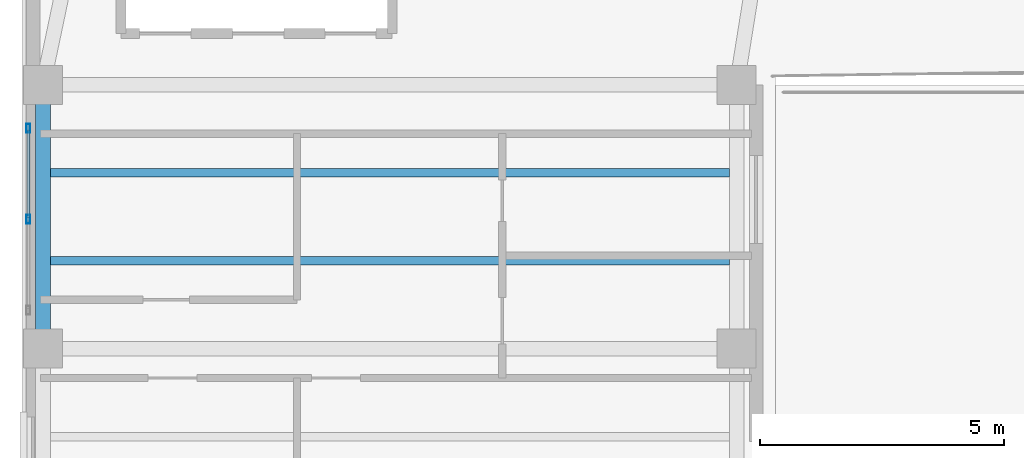
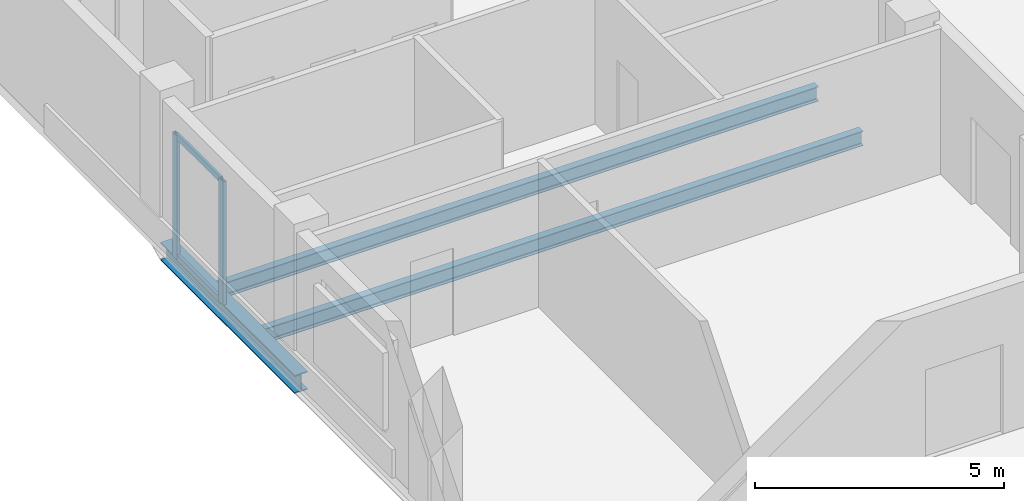
# One storey, part 4 of 7: 4 members, 3 beams, 1 element without a shape of its own.
"""IFC4 building model written with IfcOpenShell, lengths in metres."""

from ifc_helpers import new_model, si_unit, direction, frame, origin, origin_2d, place, context, subcontext, project, spatial, hollow_rectangle, i_section, extrude, material, material_profile, profile_set, type_object, element, aggregate, save


model = new_model("IFC4")

# Units and contexts
model_context = context("Model", 3, precision=1e-05, world=origin(), true_north=direction((0.0, 1.0)))
body_context = subcontext(model_context, "Body", "Model", "MODEL_VIEW")
ifc_project = project(units=[si_unit("LENGTHUNIT", "METRE"), si_unit("AREAUNIT", "SQUARE_METRE"), si_unit("VOLUMEUNIT", "CUBIC_METRE"), si_unit("PLANEANGLEUNIT", "RADIAN"), si_unit("MASSUNIT", "GRAM", prefix="KILO")], contexts=[model_context])

# Site, building, storey
site_placement = place(None, origin())
site = spatial("IfcSite", under=ifc_project, at=site_placement, CompositionType="ELEMENT")
building_placement = place(site_placement, origin())
building = spatial("IfcBuilding", under=site, at=building_placement, Name="Kuzgunbayir Cultural Tower", CompositionType="ELEMENT")
storey_placement = place(building_placement, frame((0.0, 0.0, 250.39990234375)))
storey = spatial("IfcBuildingStorey", under=building, at=storey_placement, Name="L74", CompositionType="ELEMENT", Elevation=250.39990234375)

# Beams
ifc_material_1 = material(Name="Steel S355J2", Category="steel")
ifc_material_profile_1 = material_profile(ifc_material_1, i_section(OverallWidth=0.300048828125, OverallDepth=0.449951171875, WebThickness=0.013916015625, FlangeThickness=0.02587890625, FilletRadius=0.027099609375, at=origin_2d()), Name="HEB 450")
ifc_profile_set_1 = profile_set([ifc_material_profile_1], Name="Steel S355J2")
beam_type_1 = type_object("IfcBeamType", Name="BM-EXT-HEB450", PredefinedType="BEAM", material=ifc_profile_set_1)
beam_placement = place(storey_placement, frame((5.39990234375, 23.39990234375, -0.4599609375), z_axis=(0.0, 1.0, 0.0), x_axis=(-1.0, 0.0, 0.0)))
element("IfcBeam", 1, at=beam_placement, inside=storey, type_object=beam_type_1, Name="L74 Wing A West Girder 2", PredefinedType="BEAM", context=body_context, shape_type="SweptSolid", body=[
    extrude(i_section(OverallWidth=0.300048828125, OverallDepth=0.449951171875, WebThickness=0.013916015625, FlangeThickness=0.02587890625, FilletRadius=0.027099609375, at=origin_2d()), origin(), (0.0, 0.0, 1.0), 5.400146484375),
])
ifc_material_profile_2 = material_profile(ifc_material_1, i_section(OverallWidth=0.169921875, OverallDepth=0.360107421875, WebThickness=0.008056640625, FlangeThickness=0.0126953125, FilletRadius=0.01806640625, at=origin_2d()), Name="IPE 360")
ifc_profile_set_2 = profile_set([ifc_material_profile_2], Name="Steel S355J2")
beam_type_2 = type_object("IfcBeamType", Name="BM-JST-IPE360", PredefinedType="JOIST", material=ifc_profile_set_2)
for number, where, z_axis, x_axis, name in (
    (2, (5.550048828125, 25.199951171875, -0.419921875), (1.0, 0.0, 0.0), (0.0, 1.0, 0.0), "L74 Wing A Secondary Joist 3"),
    (3, (5.550048828125, 27.0, -0.419921875), (1.0, 0.0, 0.0), (0.0, 1.0, 0.0), "L74 Wing A Secondary Joist 4"),
):
    element("IfcBeam", number, at=place(storey_placement, frame(where, z_axis=z_axis, x_axis=x_axis)), inside=storey, type_object=beam_type_2, Name=name, PredefinedType="JOIST", context=body_context, shape_type="SweptSolid", body=[
        extrude(i_section(OverallWidth=0.169921875, OverallDepth=0.360107421875, WebThickness=0.008056640625, FlangeThickness=0.0126953125, FilletRadius=0.01806640625, at=origin_2d()), origin(), (0.0, 0.0, 1.0), 13.89990234375),
    ])

# Curtain wall, members
ifc_material_2 = material(Name="Anodised Aluminium Framing", Category="aluminium")
curtain_wall_type = type_object("IfcCurtainWallType", Name="CW06-OBSERVATORY", PredefinedType="NOTDEFINED", material=ifc_material_2)
curtain_wall_placement = place(storey_placement, origin())
curtain_wall = element("IfcCurtainWall", 4, at=curtain_wall_placement, inside=storey, type_object=curtain_wall_type, Name="L74 Crown Observatory West Curtain Wall", PredefinedType="NOTDEFINED")
ifc_material_profile_3 = material_profile(ifc_material_2, hollow_rectangle(XDim=0.074951171875, YDim=0.179931640625, WallThickness=0.0048828125, at=origin_2d()), Name="RHS 180x75x5")
ifc_profile_set_3 = profile_set([ifc_material_profile_3], Name="Anodised Aluminium Framing")
member_type_1 = type_object("IfcMemberType", Name="MEM-CW-MULLION-180", PredefinedType="MULLION", material=ifc_profile_set_3)
member_1_placement = place(storey_placement, frame((5.10009765625, 26.050048828125, 0.0), z_axis=(0.0, 0.0, 1.0), x_axis=(-1.0, 0.0, 0.0)))
member_1 = element("IfcMember", 5, at=member_1_placement, type_object=member_type_1, Name="CW06 mullion 2", PredefinedType="MULLION", context=body_context, shape_type="SweptSolid", body=[
    extrude(hollow_rectangle(XDim=0.074951171875, YDim=0.179931640625, WallThickness=0.0048828125, at=origin_2d()), origin(), (0.0, 0.0, 1.0), 3.030029296875),
])
member_2_placement = place(storey_placement, frame((5.10009765625, 27.91259765625, 0.0), z_axis=(0.0, 0.0, 1.0), x_axis=(-1.0, 0.0, 0.0)))
member_2 = element("IfcMember", 6, at=member_2_placement, type_object=member_type_1, Name="CW06 mullion 3", PredefinedType="MULLION", context=body_context, shape_type="SweptSolid", body=[
    extrude(hollow_rectangle(XDim=0.074951171875, YDim=0.179931640625, WallThickness=0.0048828125, at=origin_2d()), origin(), (0.0, 0.0, 1.0), 3.030029296875),
])
ifc_material_profile_4 = material_profile(ifc_material_2, hollow_rectangle(XDim=0.06005859375, YDim=0.14990234375, WallThickness=0.00390625, at=origin_2d()), Name="RHS 150x60x4")
ifc_profile_set_4 = profile_set([ifc_material_profile_4], Name="Anodised Aluminium Framing")
member_type_2 = type_object("IfcMemberType", Name="MEM-CW-TRANSOM-150", PredefinedType="USERDEFINED", material=ifc_profile_set_4)
member_3_placement = place(storey_placement, frame((5.10009765625, 26.08740234375, 0.030029296875), z_axis=(0.0, 1.0, 0.0), x_axis=(-1.0, 0.0, 0.0)))
member_3 = element("IfcMember", 7, at=member_3_placement, type_object=member_type_2, Name="CW06 transom 2.1", ObjectType="TRANSOM", PredefinedType="USERDEFINED", context=body_context, shape_type="SweptSolid", body=[
    extrude(hollow_rectangle(XDim=0.06005859375, YDim=0.14990234375, WallThickness=0.00390625, at=origin_2d()), origin(), (0.0, 0.0, 1.0), 1.78759765625),
])
member_4_placement = place(storey_placement, frame((5.10009765625, 26.08740234375, 3.0), z_axis=(0.0, 1.0, 0.0), x_axis=(-1.0, 0.0, 0.0)))
member_4 = element("IfcMember", 8, at=member_4_placement, type_object=member_type_2, Name="CW06 transom 2.2", ObjectType="TRANSOM", PredefinedType="USERDEFINED", context=body_context, shape_type="SweptSolid", body=[
    extrude(hollow_rectangle(XDim=0.06005859375, YDim=0.14990234375, WallThickness=0.00390625, at=origin_2d()), origin(), (0.0, 0.0, 1.0), 1.78759765625),
])
aggregate(curtain_wall, [member_1, member_2, member_3, member_4])

save(model, "model.ifc")
